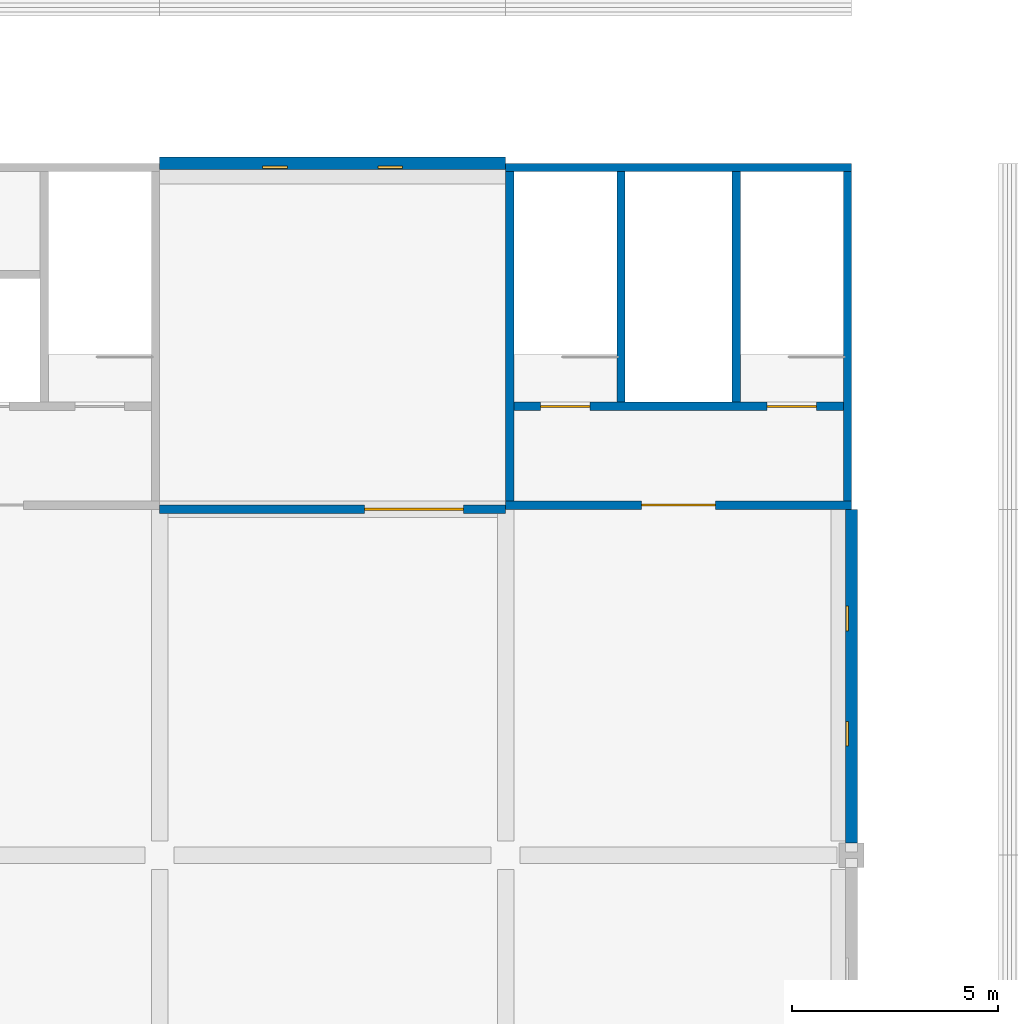
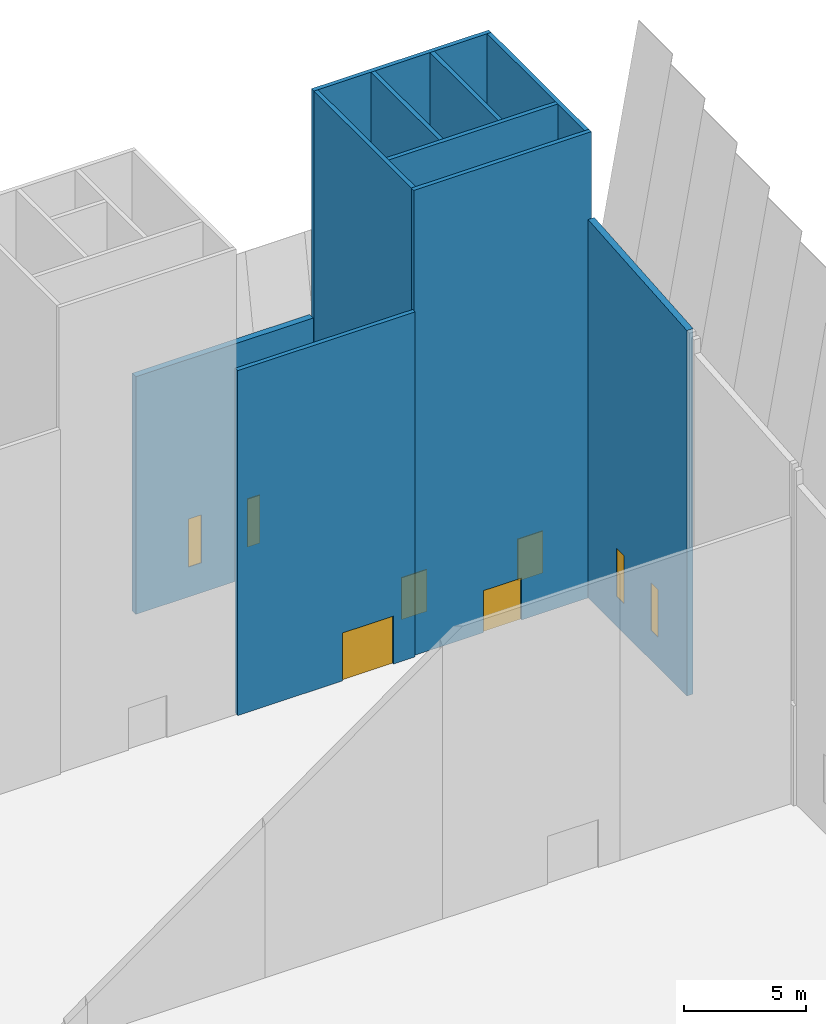
# One storey, part 27 of 59: 10 walls, 4 doors, 4 windows, 8 openings.
"""IFC4 building model written with IfcOpenShell, lengths in metres."""

from ifc_helpers import new_model, si_unit, direction, frame, frame_2d, origin, place, context, subcontext, project, spatial, polyline, rectangle, outline, extrude, material, layer, layer_set, type_object, element, fill, save


model = new_model("IFC4")

# Units and contexts
model_context = context("Model", 3, precision=1e-05, world=origin(), true_north=direction((0.0, 1.0)))
body_context = subcontext(model_context, "Body", "Model", "MODEL_VIEW")
ifc_project = project(units=[si_unit("LENGTHUNIT", "METRE"), si_unit("AREAUNIT", "SQUARE_METRE"), si_unit("VOLUMEUNIT", "CUBIC_METRE"), si_unit("PLANEANGLEUNIT", "RADIAN"), si_unit("MASSUNIT", "GRAM", prefix="KILO")], contexts=[model_context])

# Site, building, storey
site_placement = place(None, origin())
site = spatial("IfcSite", under=ifc_project, at=site_placement, CompositionType="ELEMENT")
building_placement = place(site_placement, origin())
building = spatial("IfcBuilding", under=site, at=building_placement, Name="Almond Square Museum", CompositionType="ELEMENT")
storey_placement = place(building_placement, frame((0.0, 0.0, 25.0)))
storey = spatial("IfcBuildingStorey", under=building, at=storey_placement, Name="L04", CompositionType="ELEMENT", Elevation=25.0)

# Wall, openings, windows
ifc_material_1 = material(Name="Concrete C30/37", Category="concrete")
ifc_layer_1 = layer(ifc_material_1, 0.300048828125)
ifc_layer_set_1 = layer_set([ifc_layer_1], Name="Concrete C30/37")
wall_type_1 = type_object("IfcWallType", Name="Cast concrete wall 300 C30/37 behind louvre skin", PredefinedType="SOLIDWALL", material=ifc_layer_set_1)
wall_1_placement = place(storey_placement, frame((148.800048828125, 92.699951171875, 0.0), z_axis=(0.0, 0.0, 1.0), x_axis=(0.0, 1.0, 0.0)))
wall_1 = element("IfcWall", 1, at=wall_1_placement, inside=storey, type_object=wall_type_1, Name="External wall W1 V1 L04 E05", PredefinedType="SOLIDWALL", context=body_context, shape_type="SweptSolid", body=[
    extrude(outline(polyline([(0.0, 0.0), (8.10009765625, 0.0), (8.10009765625, 18.93994140625), (0.0, 18.29345703125), (0.0, 0.0)])), frame((0.0, 0.14990234375, 0.0), z_axis=(0.0, -1.0, 0.0), x_axis=(1.0, 0.0, 0.0)), (0.0, 0.0, 1.0), 0.300048828125),
])
opening_1_placement = place(wall_1_placement, frame((2.35009765625, 0.0, 1.5)))
opening_1 = element("IfcOpeningElement", 2, at=opening_1_placement, cuts=wall_1, Name="Opening W4035", PredefinedType="OPENING", context=body_context, shape_type="SweptSolid", body=[
    extrude(rectangle(XDim=0.60009765625, YDim=2.39990234375, at=frame_2d((0.300048828125, 1.199951171875))), frame((0.0, 0.159912109375, 0.0), z_axis=(0.0, -1.0, 0.0), x_axis=(1.0, 0.0, 0.0)), (0.0, 0.0, 1.0), 0.320068359375),
])
opening_2_placement = place(wall_1_placement, frame((5.14990234375, 0.0, 1.5)))
opening_2 = element("IfcOpeningElement", 3, at=opening_2_placement, cuts=wall_1, Name="Opening W4036", PredefinedType="OPENING", context=body_context, shape_type="SweptSolid", body=[
    extrude(rectangle(XDim=0.60009765625, YDim=2.39990234375, at=frame_2d((0.300048828125, 1.199951171875))), frame((0.0, 0.159912109375, 0.0), z_axis=(0.0, -1.0, 0.0), x_axis=(1.0, 0.0, 0.0)), (0.0, 0.0, 1.0), 0.320068359375),
])
ifc_material_2 = material(Name="Anodised aluminium louvre and laminated glass", Category="aluminium")
window_type = type_object("IfcWindowType", Name="Slot window with storm louvre", PartitioningType="SINGLE_PANEL", PredefinedType="WINDOW", material=ifc_material_2)
window_1_placement = place(opening_1_placement, origin())
window_1 = element("IfcWindow", 4, at=window_1_placement, inside=storey, type_object=window_type, Name="Slot window with storm louvre W4035", OverallHeight=2.39990234375, OverallWidth=0.60009765625, PartitioningType="SINGLE_PANEL", PredefinedType="WINDOW", context=body_context, shape_type="SweptSolid", body=[
    extrude(rectangle(XDim=0.60009765625, YDim=2.39990234375, at=frame_2d((0.300048828125, 1.199951171875))), frame((0.0, 0.130126953125, 0.0), z_axis=(0.0, -1.0, 0.0), x_axis=(1.0, 0.0, 0.0)), (0.0, 0.0, 1.0), 0.06005859375),
])
fill(opening_1, window_1)
window_2_placement = place(opening_2_placement, origin())
window_2 = element("IfcWindow", 5, at=window_2_placement, inside=storey, type_object=window_type, Name="Slot window with storm louvre W4036", OverallHeight=2.39990234375, OverallWidth=0.60009765625, PartitioningType="SINGLE_PANEL", PredefinedType="WINDOW", context=body_context, shape_type="SweptSolid", body=[
    extrude(rectangle(XDim=0.60009765625, YDim=2.39990234375, at=frame_2d((0.300048828125, 1.199951171875))), frame((0.0, 0.130126953125, 0.0), z_axis=(0.0, -1.0, 0.0), x_axis=(1.0, 0.0, 0.0)), (0.0, 0.0, 1.0), 0.06005859375),
])
fill(opening_2, window_2)

wall_2_placement = place(storey_placement, frame((132.0, 109.199951171875, 0.0), z_axis=(0.0, 0.0, 1.0), x_axis=(1.0, 0.0, 0.0)))
wall_2 = element("IfcWall", 6, at=wall_2_placement, inside=storey, type_object=wall_type_1, Name="External wall W1 V1 L04 N01", PredefinedType="SOLIDWALL", context=body_context, shape_type="SweptSolid", body=[
    extrude(rectangle(XDim=8.39990234375, YDim=0.300048828125, at=frame_2d((4.199951171875, 0.0))), origin(), (0.0, 0.0, 1.0), 11.89990234375),
])
opening_3_placement = place(wall_2_placement, frame((2.5, 0.0, 1.5)))
opening_3 = element("IfcOpeningElement", 7, at=opening_3_placement, cuts=wall_2, Name="Opening W4037", PredefinedType="OPENING", context=body_context, shape_type="SweptSolid", body=[
    extrude(rectangle(XDim=0.60009765625, YDim=2.39990234375, at=frame_2d((0.300048828125, 1.199951171875))), frame((0.0, 0.159912109375, 0.0), z_axis=(0.0, -1.0, 0.0), x_axis=(1.0, 0.0, 0.0)), (0.0, 0.0, 1.0), 0.320068359375),
])
opening_4_placement = place(wall_2_placement, frame((5.300048828125, 0.0, 1.5)))
opening_4 = element("IfcOpeningElement", 8, at=opening_4_placement, cuts=wall_2, Name="Opening W4038", PredefinedType="OPENING", context=body_context, shape_type="SweptSolid", body=[
    extrude(rectangle(XDim=0.60009765625, YDim=2.39990234375, at=frame_2d((0.300048828125, 1.199951171875))), frame((0.0, 0.159912109375, 0.0), z_axis=(0.0, -1.0, 0.0), x_axis=(1.0, 0.0, 0.0)), (0.0, 0.0, 1.0), 0.320068359375),
])
window_3_placement = place(opening_3_placement, origin())
window_3 = element("IfcWindow", 9, at=window_3_placement, inside=storey, type_object=window_type, Name="Slot window with storm louvre W4037", OverallHeight=2.39990234375, OverallWidth=0.60009765625, PartitioningType="SINGLE_PANEL", PredefinedType="WINDOW", context=body_context, shape_type="SweptSolid", body=[
    extrude(rectangle(XDim=0.60009765625, YDim=2.39990234375, at=frame_2d((0.300048828125, 1.199951171875))), frame((0.0, -0.070068359375, 0.0), z_axis=(0.0, -1.0, 0.0), x_axis=(1.0, 0.0, 0.0)), (0.0, 0.0, 1.0), 0.06005859375),
])
fill(opening_3, window_3)
window_4_placement = place(opening_4_placement, origin())
window_4 = element("IfcWindow", 10, at=window_4_placement, inside=storey, type_object=window_type, Name="Slot window with storm louvre W4038", OverallHeight=2.39990234375, OverallWidth=0.60009765625, PartitioningType="SINGLE_PANEL", PredefinedType="WINDOW", context=body_context, shape_type="SweptSolid", body=[
    extrude(rectangle(XDim=0.60009765625, YDim=2.39990234375, at=frame_2d((0.300048828125, 1.199951171875))), frame((0.0, -0.070068359375, 0.0), z_axis=(0.0, -1.0, 0.0), x_axis=(1.0, 0.0, 0.0)), (0.0, 0.0, 1.0), 0.06005859375),
])
fill(opening_4, window_4)

# Wall, opening, door
ifc_material_3 = material(Name="Painted gypsum board on steel stud", Category="steel")
ifc_layer_2 = layer(ifc_material_3, 0.199951171875)
ifc_layer_set_2 = layer_set([ifc_layer_2], Name="Painted gypsum board on steel stud")
wall_type_2 = type_object("IfcWallType", Name="Gallery wall 200 painted board on stud", PredefinedType="PARTITIONING", material=ifc_layer_set_2)
wall_3_placement = place(storey_placement, frame((132.0, 100.800048828125, 0.0), z_axis=(0.0, 0.0, 1.0), x_axis=(1.0, 0.0, 0.0)))
wall_3 = element("IfcWall", 11, at=wall_3_placement, inside=storey, type_object=wall_type_2, Name="L04 partition 10", PredefinedType="PARTITIONING", context=body_context, shape_type="SweptSolid", body=[
    extrude(rectangle(XDim=8.39990234375, YDim=0.199951171875, at=frame_2d((4.199951171875, 0.0))), origin(), (0.0, 0.0, 1.0), 17.27001953125),
])
opening_5_placement = place(wall_3_placement, frame((4.97509765625, 0.0, 0.0)))
opening_5 = element("IfcOpeningElement", 12, at=opening_5_placement, cuts=wall_3, Name="Opening D4122", PredefinedType="OPENING", context=body_context, shape_type="SweptSolid", body=[
    extrude(rectangle(XDim=2.39990234375, YDim=2.39990234375, at=frame_2d((1.199951171875, 1.199951171875))), frame((0.0, 0.10986328125, 0.0), z_axis=(0.0, -1.0, 0.0), x_axis=(1.0, 0.0, 0.0)), (0.0, 0.0, 1.0), 0.219970703125),
])
ifc_material_4 = material(Name="Timber", Category="wood")
door_type_1 = type_object("IfcDoorType", Name="Gallery door 2400 x 2400 timber double", OperationType="NOTDEFINED", PredefinedType="DOOR", material=ifc_material_4)
door_1_placement = place(opening_5_placement, origin())
door_1 = element("IfcDoor", 13, at=door_1_placement, inside=storey, type_object=door_type_1, Name="L04 door Hall Gallery 2 to Hall Gallery 3", OperationType="DOUBLE_DOOR_SINGLE_SWING", OverallHeight=2.39990234375, OverallWidth=2.39990234375, PredefinedType="DOOR", context=body_context, shape_type="SweptSolid", body=[
    extrude(rectangle(XDim=2.39990234375, YDim=2.39990234375, at=frame_2d((1.199951171875, 1.199951171875))), frame((0.0, 0.02490234375, 0.0), z_axis=(0.0, -1.0, 0.0), x_axis=(1.0, 0.0, 0.0)), (0.0, 0.0, 1.0), 0.050048828125),
])
fill(opening_5, door_1)

ifc_material_5 = material(Name="Concrete C40/50", Category="concrete")
ifc_layer_3 = layer(ifc_material_5, 0.199951171875)
ifc_layer_set_3 = layer_set([ifc_layer_3], Name="Concrete C40/50")
wall_type_3 = type_object("IfcWallType", Name="RC shear wall 200 C40/50", PredefinedType="SHEAR", material=ifc_layer_set_3)
wall_4_placement = place(storey_placement, frame((140.39990234375, 100.89990234375, 0.0), z_axis=(0.0, 0.0, 1.0), x_axis=(1.0, 0.0, 0.0)))
wall_4 = element("IfcWall", 14, at=wall_4_placement, inside=storey, type_object=wall_type_3, Name="Core H3 south wall L04", PredefinedType="SHEAR", context=body_context, shape_type="SweptSolid", body=[
    extrude(rectangle(XDim=8.400146484375, YDim=0.199951171875, at=frame_2d((4.2001953125, 0.0))), origin(), (0.0, 0.0, 1.0), 23.2900390625),
])
opening_6_placement = place(wall_4_placement, frame((3.300048828125, 0.0, 0.0)))
opening_6 = element("IfcOpeningElement", 15, at=opening_6_placement, cuts=wall_4, Name="Opening D4137", PredefinedType="OPENING", context=body_context, shape_type="SweptSolid", body=[
    extrude(rectangle(XDim=1.800048828125, YDim=2.10009765625, at=frame_2d((0.89990234375, 1.050048828125))), frame((0.0, 0.10986328125, 0.0), z_axis=(0.0, -1.0, 0.0), x_axis=(1.0, 0.0, 0.0)), (0.0, 0.0, 1.0), 0.219970703125),
])
ifc_material_6 = material(Name="Steel", Category="steel")
door_type_2 = type_object("IfcDoorType", Name="Fire door 1800 x 2100 FD60 double", OperationType="NOTDEFINED", PredefinedType="DOOR", material=ifc_material_6)
door_2_placement = place(opening_6_placement, origin())
door_2 = element("IfcDoor", 16, at=door_2_placement, inside=storey, type_object=door_type_2, Name="L04 stair core H3 lobby door", OperationType="DOUBLE_DOOR_SINGLE_SWING", OverallHeight=2.10009765625, OverallWidth=1.800048828125, PredefinedType="DOOR", context=body_context, shape_type="SweptSolid", body=[
    extrude(rectangle(XDim=1.800048828125, YDim=2.10009765625, at=frame_2d((0.89990234375, 1.050048828125))), frame((0.0, 0.02490234375, 0.0), z_axis=(0.0, -1.0, 0.0), x_axis=(1.0, 0.0, 0.0)), (0.0, 0.0, 1.0), 0.050048828125),
])
fill(opening_6, door_2)

# Walls
wall_5_placement = place(storey_placement, frame((140.39990234375, 109.10009765625, 0.0), z_axis=(0.0, 0.0, 1.0), x_axis=(1.0, 0.0, 0.0)))
element("IfcWall", 17, at=wall_5_placement, inside=storey, type_object=wall_type_3, Name="Core H3 north wall L04", PredefinedType="SHEAR", context=body_context, shape_type="SweptSolid", body=[
    extrude(rectangle(XDim=8.400146484375, YDim=0.199951171875, at=frame_2d((4.2001953125, 0.0))), origin(), (0.0, 0.0, 1.0), 23.2900390625),
])
for number, where, z_axis, x_axis, name in (
    (18, (140.5, 101.0, 0.0), (0.0, 0.0, 1.0), (0.0, 1.0, 0.0), "Core H3 west wall L04"),
    (19, (148.699951171875, 101.0, 0.0), (0.0, 0.0, 1.0), (0.0, 1.0, 0.0), "Core H3 east wall L04"),
):
    element("IfcWall", number, at=place(storey_placement, frame(where, z_axis=z_axis, x_axis=x_axis)), inside=storey, type_object=wall_type_3, Name=name, PredefinedType="SHEAR", context=body_context, shape_type="SweptSolid", body=[
        extrude(rectangle(XDim=8.0, YDim=0.199951171875, at=frame_2d((4.0, 0.0))), origin(), (0.0, 0.0, 1.0), 23.2900390625),
    ])

# Wall, openings, doors
wall_6_placement = place(storey_placement, frame((140.60009765625, 103.300048828125, 0.0), z_axis=(0.0, 0.0, 1.0), x_axis=(1.0, 0.0, 0.0)))
wall_6 = element("IfcWall", 20, at=wall_6_placement, inside=storey, type_object=wall_type_3, Name="Core H3 lobby wall L04", PredefinedType="SHEAR", context=body_context, shape_type="SweptSolid", body=[
    extrude(rectangle(XDim=8.0, YDim=0.199951171875, at=frame_2d((4.0, 0.0))), origin(), (0.0, 0.0, 1.0), 23.2900390625),
])
opening_7_placement = place(wall_6_placement, frame((0.64990234375, 0.0, 0.0)))
opening_7 = element("IfcOpeningElement", 21, at=opening_7_placement, cuts=wall_6, Name="Opening D4138", PredefinedType="OPENING", context=body_context, shape_type="SweptSolid", body=[
    extrude(rectangle(XDim=1.199951171875, YDim=2.10009765625, at=frame_2d((0.60009765625, 1.050048828125))), frame((0.0, 0.10986328125, 0.0), z_axis=(0.0, -1.0, 0.0), x_axis=(1.0, 0.0, 0.0)), (0.0, 0.0, 1.0), 0.219970703125),
])
opening_8_placement = place(wall_6_placement, frame((6.14990234375, 0.0, 0.0)))
opening_8 = element("IfcOpeningElement", 22, at=opening_8_placement, cuts=wall_6, Name="Opening D4139", PredefinedType="OPENING", context=body_context, shape_type="SweptSolid", body=[
    extrude(rectangle(XDim=1.199951171875, YDim=2.10009765625, at=frame_2d((0.60009765625, 1.050048828125))), frame((0.0, 0.10986328125, 0.0), z_axis=(0.0, -1.0, 0.0), x_axis=(1.0, 0.0, 0.0)), (0.0, 0.0, 1.0), 0.219970703125),
])
ifc_material_7 = material(Name="Steel", Category="steel")
door_type_3 = type_object("IfcDoorType", Name="Fire door 1200 x 2100 FD120 stair", OperationType="NOTDEFINED", PredefinedType="DOOR", material=ifc_material_7)
door_3_placement = place(opening_7_placement, origin())
door_3 = element("IfcDoor", 23, at=door_3_placement, inside=storey, type_object=door_type_3, Name="L04 stair H3-1 door", OperationType="SINGLE_SWING_LEFT", OverallHeight=2.10009765625, OverallWidth=1.199951171875, PredefinedType="DOOR", context=body_context, shape_type="SweptSolid", body=[
    extrude(rectangle(XDim=1.199951171875, YDim=2.10009765625, at=frame_2d((0.60009765625, 1.050048828125))), frame((0.0, 0.02490234375, 0.0), z_axis=(0.0, -1.0, 0.0), x_axis=(1.0, 0.0, 0.0)), (0.0, 0.0, 1.0), 0.050048828125),
])
fill(opening_7, door_3)
door_4_placement = place(opening_8_placement, origin())
door_4 = element("IfcDoor", 24, at=door_4_placement, inside=storey, type_object=door_type_3, Name="L04 stair H3-2 door", OperationType="SINGLE_SWING_RIGHT", OverallHeight=2.10009765625, OverallWidth=1.199951171875, PredefinedType="DOOR", context=body_context, shape_type="SweptSolid", body=[
    extrude(rectangle(XDim=1.199951171875, YDim=2.10009765625, at=frame_2d((0.60009765625, 1.050048828125))), frame((0.0, 0.02490234375, 0.0), z_axis=(0.0, -1.0, 0.0), x_axis=(1.0, 0.0, 0.0)), (0.0, 0.0, 1.0), 0.050048828125),
])
fill(opening_8, door_4)

# Walls
for number, where, z_axis, x_axis, name in (
    (25, (143.199951171875, 103.39990234375, 0.0), (0.0, 0.0, 1.0), (0.0, 1.0, 0.0), "Core H3 partition wall L04"),
    (26, (146.0, 103.39990234375, 0.0), (0.0, 0.0, 1.0), (0.0, 1.0, 0.0), "Core H3 partition wall L04"),
):
    element("IfcWall", number, at=place(storey_placement, frame(where, z_axis=z_axis, x_axis=x_axis)), inside=storey, type_object=wall_type_3, Name=name, PredefinedType="SHEAR", context=body_context, shape_type="SweptSolid", body=[
        extrude(rectangle(XDim=5.60009765625, YDim=0.199951171875, at=frame_2d((2.800048828125, 0.0))), origin(), (0.0, 0.0, 1.0), 23.2900390625),
    ])

save(model, "model.ifc")
